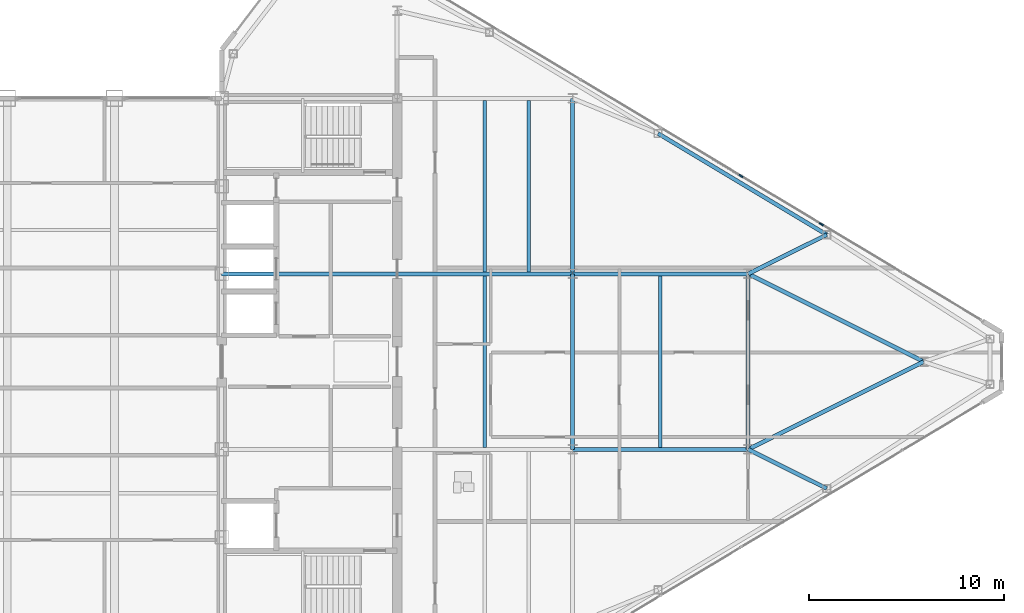
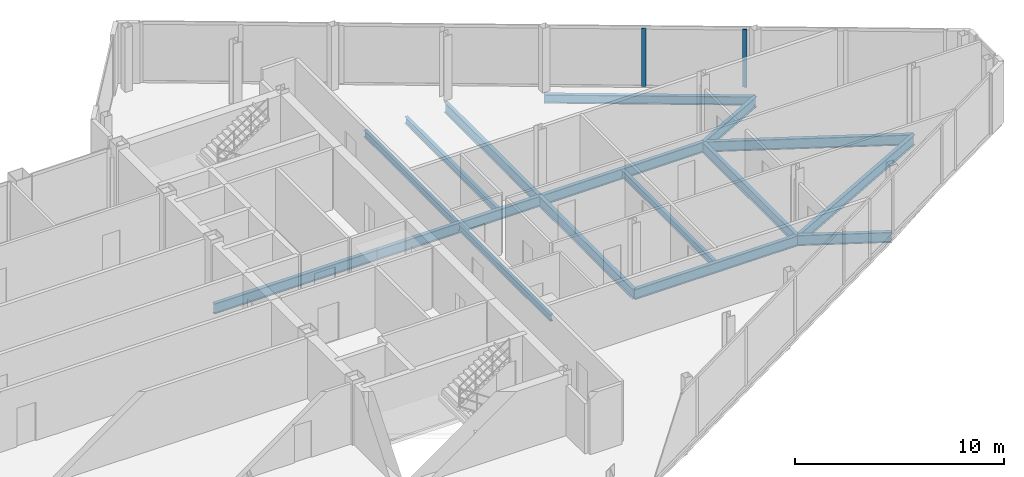
# One storey, part 15 of 29: 16 beams, 2 members, 1 element without a shape of its own.
"""IFC4 building model written with IfcOpenShell, lengths in metres."""

from ifc_helpers import new_model, si_unit, direction, frame, origin, origin_2d, place, context, subcontext, project, spatial, rectangle, i_section, extrude, source, transform, mapped, material, layer, layer_set, material_profile, profile_set, type_object, type_shapes, element, aggregate, save


model = new_model("IFC4")

# Units and contexts
model_context = context("Model", 3, precision=1e-05, world=origin(), true_north=direction((0.0, 1.0)))
body_context = subcontext(model_context, "Body", "Model", "MODEL_VIEW")
ifc_project = project(units=[si_unit("LENGTHUNIT", "METRE"), si_unit("AREAUNIT", "SQUARE_METRE"), si_unit("VOLUMEUNIT", "CUBIC_METRE"), si_unit("PLANEANGLEUNIT", "RADIAN"), si_unit("MASSUNIT", "GRAM", prefix="KILO")], contexts=[model_context])

# Site, building, storey
site_placement = place(None, origin())
site = spatial("IfcSite", under=ifc_project, at=site_placement, CompositionType="ELEMENT")
building_placement = place(site_placement, origin())
building = spatial("IfcBuilding", under=site, at=building_placement, Name="Seokmaru Belvedere", CompositionType="ELEMENT")
storey_placement = place(building_placement, frame((0.0, 0.0, 250.64990234375)))
storey = spatial("IfcBuildingStorey", under=building, at=storey_placement, Name="L66", CompositionType="ELEMENT", Elevation=250.64990234375)

# Beams
ifc_material_1 = material(Name="Steel SM355 (355 MPa)", Category="steel")
ifc_material_profile_1 = material_profile(ifc_material_1, i_section(OverallWidth=0.199951171875, OverallDepth=0.60009765625, WebThickness=0.010986328125, FlangeThickness=0.01708984375, at=origin_2d()), Name="H-600x200x11x17")
ifc_profile_set_1 = profile_set([ifc_material_profile_1], Name="Steel SM355 (355 MPa)")
beam_type_1 = type_object("IfcBeamType", Name="Primary Floor Girder H-600", PredefinedType="BEAM", material=ifc_profile_set_1)
shared_shape_1 = source(origin(), body_context, "Body", "SweptSolid", [
    extrude(i_section(OverallWidth=0.199951171875, OverallDepth=0.60009765625, WebThickness=0.010986328125, FlangeThickness=0.01708984375, at=origin_2d()), origin(), (0.0, 0.0, 1.0), 9.0),
])
for number, where, z_axis, x_axis, name in (
    (1, (45.5, -4.5, -0.52001953125), (0.0, 1.0, 0.0), (-1.0, 0.0, 0.0), "L66 E Interior Grid Girder 2"),
    (2, (45.5, 4.5, -0.52001953125), (0.0, 1.0, 0.0), (-1.0, 0.0, 0.0), "L66 E Interior Grid Girder 3"),
    (3, (27.5, 4.5, -0.52001953125), (1.0, 0.0, 0.0), (0.0, 1.0, 0.0), "L66 E Core Tie Girder 3"),
    (4, (36.5, 4.5, -0.52001953125), (1.0, 0.0, 0.0), (0.0, 1.0, 0.0), "L66 E Wing Primary Girder 3"),
    (5, (45.5, -4.5, -0.52001953125), (1.0, 0.0, 0.0), (0.0, 1.0, 0.0), "L66 E Outer Wing Girder 1"),
    (6, (45.5, 4.5, -0.52001953125), (1.0, 0.0, 0.0), (0.0, 1.0, 0.0), "L66 E Outer Wing Girder 2"),
    (7, (54.5, -4.5, -0.52001953125), (0.0, 1.0, 0.0), (-1.0, 0.0, 0.0), "L66 E Apex Frame Girder"),
):
    element("IfcBeam", number, at=place(storey_placement, frame(where, z_axis=z_axis, x_axis=x_axis)), inside=storey, type_object=beam_type_1, Name=name, PredefinedType="BEAM", context=body_context, shape_type="MappedRepresentation", body=[
        mapped(shared_shape_1, transform((0.0, 0.0, 0.0), scale=1.0)),
    ])
shared_shape_2 = source(origin(), body_context, "Body", "SweptSolid", [
    extrude(i_section(OverallWidth=0.199951171875, OverallDepth=0.60009765625, WebThickness=0.010986328125, FlangeThickness=0.01708984375, at=origin_2d()), origin(), (0.0, 0.0, 1.0), 10.062255859375),
])
for number, where, z_axis, x_axis, name in (
    (8, (54.5, -4.5, -0.52001953125), (0.894427191, 0.4472135955, 0.0), (-0.4472135955, 0.894427191, 0.0), "L66 E Apex Converging Girder 1"),
    (9, (54.5, 4.5, -0.52001953125), (0.894427191, -0.4472135955, 0.0), (0.4472135955, 0.894427191, 0.0), "L66 E Apex Converging Girder 2"),
):
    element("IfcBeam", number, at=place(storey_placement, frame(where, z_axis=z_axis, x_axis=x_axis)), inside=storey, type_object=beam_type_1, Name=name, PredefinedType="BEAM", context=body_context, shape_type="MappedRepresentation", body=[
        mapped(shared_shape_2, transform((0.0, 0.0, 0.0), scale=1.0)),
    ])
ifc_material_profile_2 = material_profile(ifc_material_1, i_section(OverallWidth=0.18505859375, OverallDepth=0.389892578125, WebThickness=0.008056640625, FlangeThickness=0.011962890625, at=origin_2d()), Name="H-390x185x8x12")
ifc_profile_set_2 = profile_set([ifc_material_profile_2], Name="Steel SM355 (355 MPa)")
beam_type_2 = type_object("IfcBeamType", Name="Secondary Floor Joist H-350", PredefinedType="JOIST", material=ifc_profile_set_2)
shared_shape_3 = source(origin(), body_context, "Body", "SweptSolid", [
    extrude(i_section(OverallWidth=0.18505859375, OverallDepth=0.389892578125, WebThickness=0.008056640625, FlangeThickness=0.011962890625, at=origin_2d()), origin(), (0.0, 0.0, 1.0), 8.7900390625),
])
type_shapes(beam_type_2, [shared_shape_3])
for number, where, z_axis, x_axis, name in (
    (10, (43.25, 4.60498046875, -0.414794921875), (0.0, 1.0, 0.0), (-1.0, 0.0, 0.0), "L66 E Wing Inner Secondary Joist 2"),
    (11, (41.0, -4.39501953125, -0.414794921875), (0.0, 1.0, 0.0), (-1.0, 0.0, 0.0), "L66 E Secondary Floor Joist 2"),
    (12, (41.0, 4.60498046875, -0.414794921875), (0.0, 1.0, 0.0), (-1.0, 0.0, 0.0), "L66 E Secondary Floor Joist 3"),
    (13, (50.0, -4.39501953125, -0.414794921875), (0.0, 1.0, 0.0), (-1.0, 0.0, 0.0), "L66 E Outer Bay Secondary Joist"),
):
    element("IfcBeam", number, at=place(storey_placement, frame(where, z_axis=z_axis, x_axis=x_axis)), inside=storey, type_object=beam_type_2, Name=name, PredefinedType="JOIST", context=body_context, shape_type="MappedRepresentation", body=[
        mapped(shared_shape_3, transform((0.0, 0.0, 0.0), scale=1.0)),
    ])
ifc_material_profile_3 = material_profile(ifc_material_1, i_section(OverallWidth=0.199951171875, OverallDepth=0.5, WebThickness=0.010009765625, FlangeThickness=0.01611328125, at=origin_2d()), Name="H-500x200x10x16")
ifc_profile_set_3 = profile_set([ifc_material_profile_3], Name="Steel SM355 (355 MPa)")
beam_type_3 = type_object("IfcBeamType", Name="Perimeter Spandrel Beam H-500", PredefinedType="SPANDREL", material=ifc_profile_set_3)
shared_shape_4 = source(origin(), body_context, "Body", "SweptSolid", [
    extrude(i_section(OverallWidth=0.199951171875, OverallDepth=0.5, WebThickness=0.010009765625, FlangeThickness=0.01611328125, at=origin_2d()), origin(), (0.0, 0.0, 1.0), 10.087646484375),
])
type_shapes(beam_type_3, [shared_shape_4])
beam_placement = place(storey_placement, frame((49.8798828125, 11.698974609375, -0.469970703125), z_axis=(0.857488654804, -0.514502873542, 0.0), x_axis=(0.514502873542, 0.857488654804, 0.0)))
element("IfcBeam", 14, at=beam_placement, inside=storey, type_object=beam_type_3, Name="L66 E Faceted Flank Spandrel N-3", PredefinedType="SPANDREL", context=body_context, shape_type="MappedRepresentation", body=[
    mapped(shared_shape_4, transform((0.0, 0.0, 0.0), scale=1.0)),
])
shared_shape_5 = source(origin(), body_context, "Body", "SweptSolid", [
    extrude(i_section(OverallWidth=0.199951171875, OverallDepth=0.60009765625, WebThickness=0.010986328125, FlangeThickness=0.01708984375, at=origin_2d()), origin(), (0.0, 0.0, 1.0), 4.5029296875),
])
type_shapes(beam_type_1, [shared_shape_1, shared_shape_2, shared_shape_5])
for number, where, z_axis, x_axis, name in (
    (15, (58.530029296875, -6.5087890625, -0.52001953125), (-0.894979532585, 0.446107202648, 0.0), (-0.446107202648, -0.894979532585, 0.0), "L66 E Flank Radial Floor Girder S-3"),
    (16, (58.530029296875, 6.5087890625, -0.52001953125), (-0.894979532585, -0.446107202648, 0.0), (0.446107202648, -0.894979532585, 0.0), "L66 E Flank Radial Floor Girder N-3"),
):
    element("IfcBeam", number, at=place(storey_placement, frame(where, z_axis=z_axis, x_axis=x_axis)), inside=storey, type_object=beam_type_1, Name=name, PredefinedType="BEAM", context=body_context, shape_type="MappedRepresentation", body=[
        mapped(shared_shape_5, transform((0.0, 0.0, 0.0), scale=1.0)),
    ])

# Curtain wall, members
ifc_material_2 = material(Name="Bronze Triple Insulating Glass", Category="glass")
ifc_layer = layer(ifc_material_2, 0.219970703125)
ifc_layer_set = layer_set([ifc_layer], Name="Bronze Triple Insulating Glass")
curtain_wall_type = type_object("IfcCurtainWallType", Name="Sky-Gate Bridge Panorama Curtain Wall System CW-6", PredefinedType="NOTDEFINED", material=ifc_layer_set)
curtain_wall_placement = place(storey_placement, origin())
curtain_wall = element("IfcCurtainWall", 17, at=curtain_wall_placement, inside=storey, type_object=curtain_wall_type, Name="L66 Curtain Wall EF3", PredefinedType="NOTDEFINED")
ifc_material_3 = material(Name="Anodised Bronze Aluminium", Category="aluminium")
ifc_material_profile_4 = material_profile(ifc_material_3, rectangle(XDim=0.080078125, YDim=0.219970703125, at=origin_2d()), Name="CW-M-80x220")
ifc_profile_set_4 = profile_set([ifc_material_profile_4], Name="Anodised Bronze Aluminium")
member_type = type_object("IfcMemberType", Name="Bronze Unitised Mullion 80x220", PredefinedType="MULLION", material=ifc_profile_set_4)
shared_shape_6 = source(origin(), body_context, "Body", "SweptSolid", [
    extrude(rectangle(XDim=0.080078125, YDim=0.219970703125, at=origin_2d()), origin(), (0.0, 0.0, 1.0), 3.3798828125),
])
type_shapes(member_type, [shared_shape_6])
member_1_placement = place(storey_placement, frame((58.257080078125, 7.0458984375, 0.0751953125), z_axis=(0.0, 0.0, 1.0), x_axis=(-0.514494909364, -0.85749343335, 0.0)))
member_1 = element("IfcMember", 18, at=member_1_placement, type_object=member_type, Name="CW:L66:EF3 Mullion 3", PredefinedType="MULLION", context=body_context, shape_type="MappedRepresentation", body=[
    mapped(shared_shape_6, transform((0.0, 0.0, 0.0), scale=1.0)),
])
member_2_placement = place(storey_placement, frame((54.12841796875, 9.52294921875, 0.0751953125), z_axis=(0.0, 0.0, 1.0), x_axis=(-0.514494909364, -0.85749343335, 0.0)))
member_2 = element("IfcMember", 19, at=member_2_placement, type_object=member_type, Name="CW:L66:EF3 Mullion 4", PredefinedType="MULLION", context=body_context, shape_type="MappedRepresentation", body=[
    mapped(shared_shape_6, transform((0.0, 0.0, 0.0), scale=1.0)),
])
aggregate(curtain_wall, [member_1, member_2])

save(model, "model.ifc")
